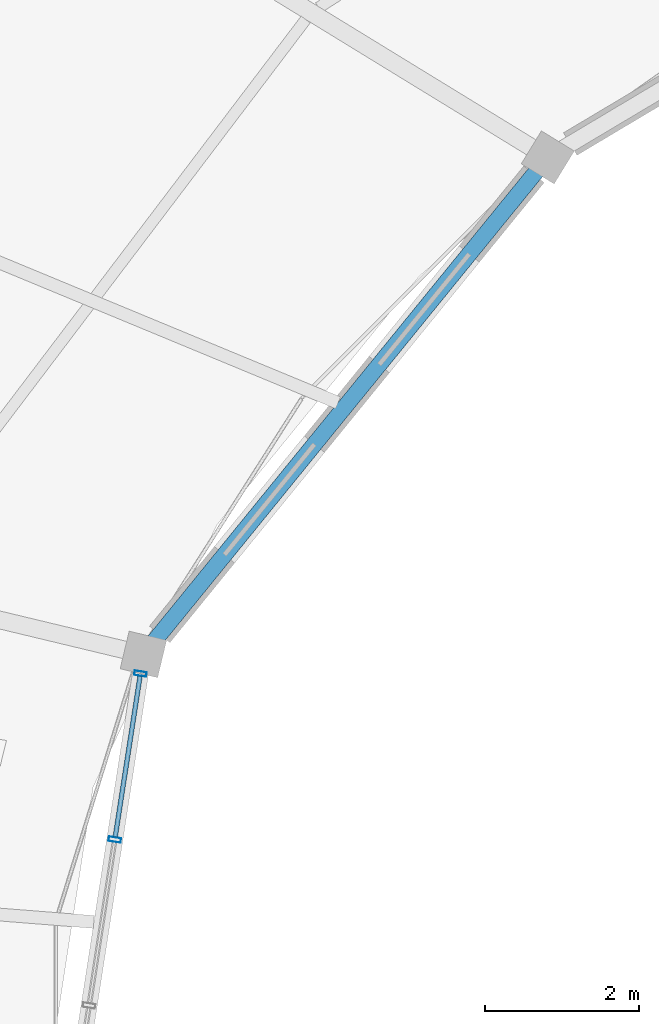
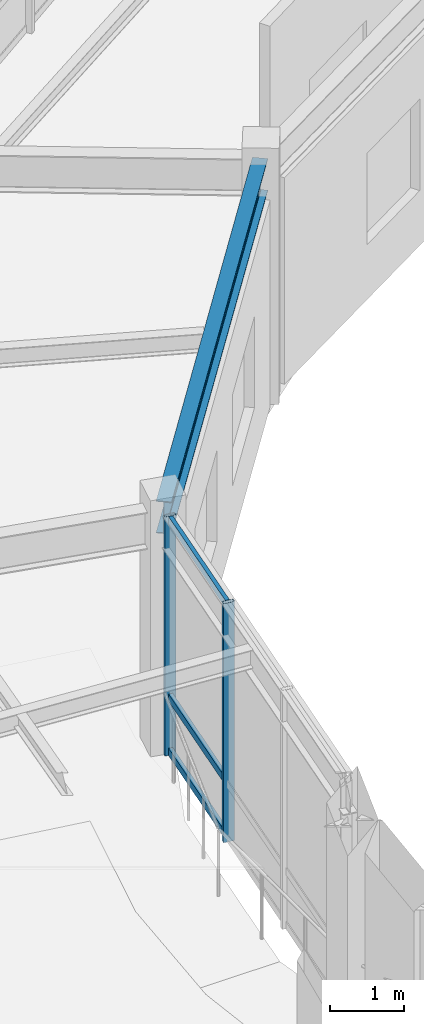
# One storey, part 24 of 79: 5 members, 1 beam, 1 element without a shape of its own.
"""IFC4 building model written with IfcOpenShell, lengths in metres."""

from ifc_helpers import new_model, si_unit, direction, frame, origin, origin_2d, place, context, subcontext, project, spatial, hollow_rectangle, i_section, extrude, material, material_profile, profile_set, type_object, element, aggregate, save


model = new_model("IFC4")

# Units and contexts
model_context = context("Model", 3, precision=1e-05, world=origin(), true_north=direction((0.0, 1.0)))
body_context = subcontext(model_context, "Body", "Model", "MODEL_VIEW")
ifc_project = project(units=[si_unit("LENGTHUNIT", "METRE"), si_unit("AREAUNIT", "SQUARE_METRE"), si_unit("VOLUMEUNIT", "CUBIC_METRE"), si_unit("PLANEANGLEUNIT", "RADIAN"), si_unit("MASSUNIT", "GRAM", prefix="KILO"), si_unit("THERMODYNAMICTEMPERATUREUNIT", "KELVIN"), si_unit("POWERUNIT", "WATT")], contexts=[model_context])

# Site, building, storey
site_placement = place(None, origin())
site = spatial("IfcSite", under=ifc_project, at=site_placement, CompositionType="ELEMENT")
building_placement = place(site_placement, origin())
building = spatial("IfcBuilding", under=site, at=building_placement, Name="Darbajah Civic Hall", CompositionType="ELEMENT")
storey_placement = place(building_placement, frame((0.0, 0.0, 22.199951171875)))
storey = spatial("IfcBuildingStorey", under=building, at=storey_placement, Name="L05", CompositionType="ELEMENT", Elevation=22.199951171875)

# Curtain wall, members
ifc_material_1 = material(Name="Anodised Bronze Aluminium and Low-E Glazing", Category="aluminium")
curtain_wall_type = type_object("IfcCurtainWallType", Name="Unitised Curtain Wall CW-70 6500x3900", PredefinedType="USERDEFINED", material=ifc_material_1)
curtain_wall_placement = place(storey_placement, origin())
curtain_wall = element("IfcCurtainWall", 1, at=curtain_wall_placement, inside=storey, type_object=curtain_wall_type, Name="L05 unitised curtain wall CW-V1I-L05-09", ObjectType="UNITISED CURTAIN WALL", PredefinedType="USERDEFINED")
ifc_material_2 = material(Name="Anodised Bronze Aluminium", Category="aluminium")
ifc_material_profile_1 = material_profile(ifc_material_2, hollow_rectangle(XDim=0.06005859375, YDim=0.159912109375, WallThickness=0.00341796875, at=origin_2d()), Name="ALU MULLION 60x160")
ifc_profile_set_1 = profile_set([ifc_material_profile_1], Name="Anodised Bronze Aluminium")
member_type_1 = type_object("IfcMemberType", Name="ALU MULLION 60x160", PredefinedType="MULLION", material=ifc_profile_set_1)
member_1_placement = place(storey_placement, frame((46.4716796875, 94.7568359375, 0.0), z_axis=(0.0, 0.0, 1.0), x_axis=(-0.152813355565, -0.98825506746, 0.0)))
member_1 = element("IfcMember", 2, at=member_1_placement, type_object=member_type_1, Name="CW-V1I-L05-09 mullion 1", PredefinedType="MULLION", context=body_context, shape_type="SweptSolid", body=[
    extrude(hollow_rectangle(XDim=0.06005859375, YDim=0.159912109375, WallThickness=0.00341796875, at=origin_2d()), origin(), (0.0, 0.0, 1.0), 3.920166015625),
])
member_2_placement = place(storey_placement, frame((46.138916015625, 92.604248046875, 0.0), z_axis=(0.0, 0.0, 1.0), x_axis=(-0.152813355565, -0.98825506746, 0.0)))
member_2 = element("IfcMember", 3, at=member_2_placement, type_object=member_type_1, Name="CW-V1I-L05-09 mullion 2", PredefinedType="MULLION", context=body_context, shape_type="SweptSolid", body=[
    extrude(hollow_rectangle(XDim=0.06005859375, YDim=0.159912109375, WallThickness=0.00341796875, at=origin_2d()), origin(), (0.0, 0.0, 1.0), 3.920166015625),
])
ifc_material_profile_2 = material_profile(ifc_material_2, hollow_rectangle(XDim=0.06005859375, YDim=0.1201171875, WallThickness=0.003173828125, at=origin_2d()), Name="ALU TRANSOM 60x120")
ifc_profile_set_2 = profile_set([ifc_material_profile_2], Name="Anodised Bronze Aluminium")
member_type_2 = type_object("IfcMemberType", Name="ALU TRANSOM 60x120", PredefinedType="USERDEFINED", material=ifc_profile_set_2)
member_3_placement = place(storey_placement, frame((46.46630859375, 94.72216796875, 0.06005859375), z_axis=(-0.152762087041, -0.988262993723, 0.0), x_axis=(0.988262993723, -0.152762087041, 0.0)))
member_3 = element("IfcMember", 4, at=member_3_placement, type_object=member_type_2, Name="CW-V1I-L05-09 transom 1.1", ObjectType="TRANSOM", PredefinedType="USERDEFINED", context=body_context, shape_type="SweptSolid", body=[
    extrude(hollow_rectangle(XDim=0.06005859375, YDim=0.1201171875, WallThickness=0.003173828125, at=origin_2d()), origin(), (0.0, 0.0, 1.0), 2.10791015625),
])
member_4_placement = place(storey_placement, frame((46.46630859375, 94.72216796875, 0.949951171875), z_axis=(-0.152762087041, -0.988262993723, 0.0), x_axis=(0.988262993723, -0.152762087041, 0.0)))
member_4 = element("IfcMember", 5, at=member_4_placement, type_object=member_type_2, Name="CW-V1I-L05-09 transom 1.2", ObjectType="TRANSOM", PredefinedType="USERDEFINED", context=body_context, shape_type="SweptSolid", body=[
    extrude(hollow_rectangle(XDim=0.06005859375, YDim=0.1201171875, WallThickness=0.003173828125, at=origin_2d()), origin(), (0.0, 0.0, 1.0), 2.10791015625),
])
member_5_placement = place(storey_placement, frame((46.46630859375, 94.72216796875, 3.860107421875), z_axis=(-0.152762087041, -0.988262993723, 0.0), x_axis=(0.988262993723, -0.152762087041, 0.0)))
member_5 = element("IfcMember", 6, at=member_5_placement, type_object=member_type_2, Name="CW-V1I-L05-09 transom 1.3", ObjectType="TRANSOM", PredefinedType="USERDEFINED", context=body_context, shape_type="SweptSolid", body=[
    extrude(hollow_rectangle(XDim=0.06005859375, YDim=0.1201171875, WallThickness=0.003173828125, at=origin_2d()), origin(), (0.0, 0.0, 1.0), 2.10791015625),
])
aggregate(curtain_wall, [member_1, member_2, member_3, member_4, member_5])

# Beam
ifc_material_3 = material(Name="Steel S355JR", Category="steel")
ifc_material_profile_3 = material_profile(ifc_material_3, i_section(OverallWidth=0.209228515625, OverallDepth=0.533203125, WebThickness=0.010009765625, FlangeThickness=0.015625, FilletRadius=0.0126953125, at=origin_2d()), Name="UB 533x210x92")
ifc_profile_set_3 = profile_set([ifc_material_profile_3], Name="Steel S355JR")
beam_type = type_object("IfcBeamType", Name="UB 533x210x92", PredefinedType="BEAM", material=ifc_profile_set_3)
beam_placement = place(storey_placement, frame((51.703857421875, 101.3896484375, 3.653564453125), z_axis=(-0.63108196788, -0.775716152866, 0.0), x_axis=(0.775716152866, -0.63108196788, 0.0)))
element("IfcBeam", 7, at=beam_placement, inside=storey, type_object=beam_type, Name="L05 beam SB-533", PredefinedType="BEAM", context=body_context, shape_type="SweptSolid", body=[
    extrude(i_section(OverallWidth=0.209228515625, OverallDepth=0.533203125, WebThickness=0.010009765625, FlangeThickness=0.015625, FilletRadius=0.0126953125, at=origin_2d()), origin(), (0.0, 0.0, 1.0), 8.149658203125),
])

save(model, "model.ifc")
